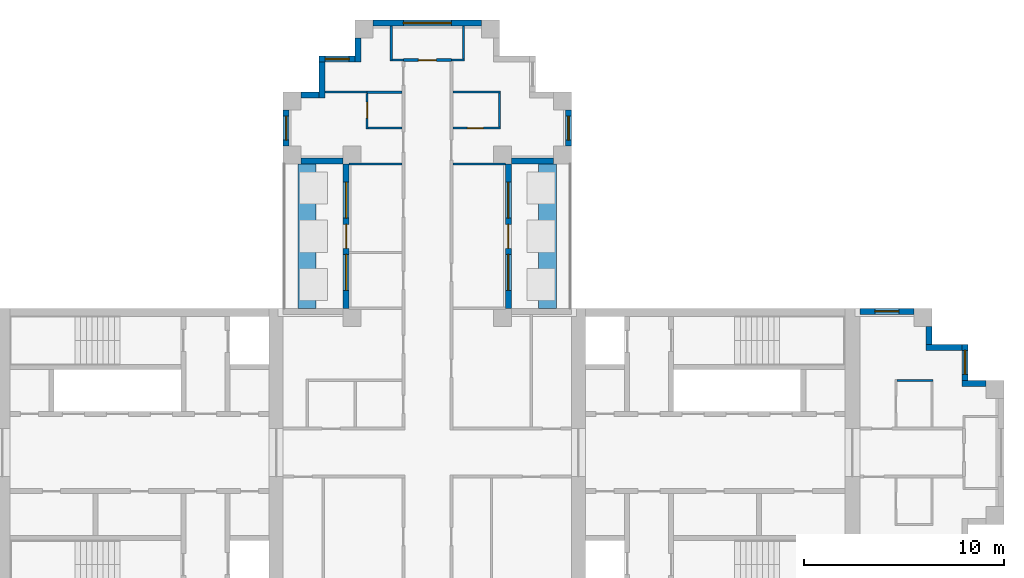
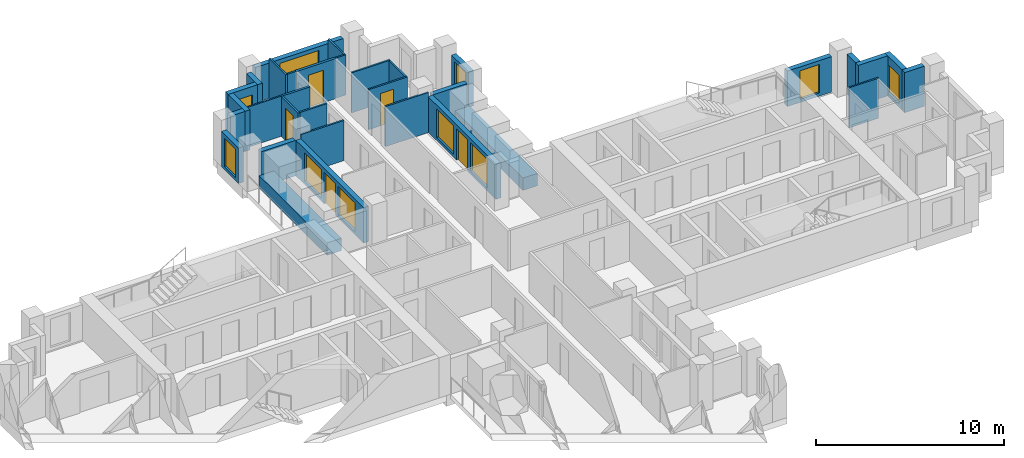
# One storey, part 7 of 10: 33 walls, 10 windows, 5 doors, 15 openings.
"""IFC4 building model written with IfcOpenShell, lengths in metres."""

from ifc_helpers import new_model, si_unit, direction, frame, frame_2d, origin, place, context, subcontext, project, spatial, rectangle, extrude, material, layer, layer_set, type_object, element, fill, save


model = new_model("IFC4")

# Units and contexts
model_context = context("Model", 3, precision=1e-05, world=origin(), true_north=direction((0.0, 1.0)))
body_context = subcontext(model_context, "Body", "Model", "MODEL_VIEW")
ifc_project = project(units=[si_unit("LENGTHUNIT", "METRE"), si_unit("AREAUNIT", "SQUARE_METRE"), si_unit("VOLUMEUNIT", "CUBIC_METRE"), si_unit("PLANEANGLEUNIT", "RADIAN"), si_unit("MASSUNIT", "GRAM", prefix="KILO")], contexts=[model_context])

# Site, building, storey
site_placement = place(None, origin())
site = spatial("IfcSite", under=ifc_project, at=site_placement, CompositionType="ELEMENT")
building_placement = place(site_placement, origin())
building = spatial("IfcBuilding", under=site, at=building_placement, Name="Fustian Cross Tower", CompositionType="ELEMENT")
storey_placement = place(building_placement, frame((0.0, 0.0, 225.89990234375)))
storey = spatial("IfcBuildingStorey", under=building, at=storey_placement, Name="L71", CompositionType="ELEMENT", Elevation=225.89990234375)

# Wall, opening, door
ifc_material_1 = material(Name="Plasterboard on steel stud", Category="steel")
ifc_layer_1 = layer(ifc_material_1, 0.14990234375)
ifc_layer_set_1 = layer_set([ifc_layer_1], Name="Plasterboard on steel stud")
wall_type_1 = type_object("IfcWallType", Name="COMPARTMENT WALL 150 EI 60", PredefinedType="PARTITIONING", material=ifc_layer_set_1)
wall_1_placement = place(storey_placement, frame((-1.199951171875, 19.60009765625, 0.0), z_axis=(0.0, 0.0, 1.0), x_axis=(1.0, 0.0, 0.0)))
wall_1 = element("IfcWall", 1, at=wall_1_placement, inside=storey, type_object=wall_type_1, Name="Partition 38", PredefinedType="PARTITIONING", context=body_context, shape_type="SweptSolid", body=[
    extrude(rectangle(XDim=2.39990234375, YDim=0.14990234375, at=frame_2d((1.199951171875, 0.0))), origin(), (0.0, 0.0, 1.0), 2.60009765625),
])
opening_1_placement = place(wall_1_placement, frame((0.75, 0.0, 0.0)))
opening_1 = element("IfcOpeningElement", 2, at=opening_1_placement, cuts=wall_1, Name="Opening D32015", PredefinedType="OPENING", context=body_context, shape_type="SweptSolid", body=[
    extrude(rectangle(XDim=0.89990234375, YDim=2.10009765625, at=frame_2d((0.449951171875, 1.050048828125))), frame((0.0, 0.0849609375, 0.0), z_axis=(0.0, -1.0, 0.0), x_axis=(1.0, 0.0, 0.0)), (0.0, 0.0, 1.0), 0.169921875),
])
ifc_material_2 = material(Name="Timber fire door set", Category="wood")
door_type_1 = type_object("IfcDoorType", Name="FIRE SWING DOOR 900 FD30S", OperationType="SINGLE_SWING_LEFT", PredefinedType="DOOR", material=ifc_material_2)
door_1_placement = place(opening_1_placement, origin())
door_1 = element("IfcDoor", 3, at=door_1_placement, inside=storey, type_object=door_type_1, Name="Door D32015", OperationType="SINGLE_SWING_LEFT", OverallHeight=2.10009765625, OverallWidth=0.89990234375, PredefinedType="DOOR", context=body_context, shape_type="SweptSolid", body=[
    extrude(rectangle(XDim=0.89990234375, YDim=2.10009765625, at=frame_2d((0.449951171875, 1.050048828125))), frame((0.0, 0.02490234375, 0.0), z_axis=(0.0, -1.0, 0.0), x_axis=(1.0, 0.0, 0.0)), (0.0, 0.0, 1.0), 0.050048828125),
])
fill(opening_1, door_1)

# Walls
ifc_material_3 = material(Name="Plasterboard on steel stud", Category="steel")
ifc_layer_2 = layer(ifc_material_3, 0.10009765625)
ifc_layer_set_2 = layer_set([ifc_layer_2], Name="Plasterboard on steel stud")
wall_type_2 = type_object("IfcWallType", Name="PARTITION 100 STUD", PredefinedType="PARTITIONING", material=ifc_layer_set_2)
wall_2_placement = place(storey_placement, frame((-5.10009765625, 18.0, 0.0), z_axis=(0.0, 0.0, 1.0), x_axis=(1.0, 0.0, 0.0)))
element("IfcWall", 4, at=wall_2_placement, inside=storey, type_object=wall_type_2, Name="Partition 18", PredefinedType="PARTITIONING", context=body_context, shape_type="SweptSolid", body=[
    extrude(rectangle(XDim=2.10009765625, YDim=0.10009765625, at=frame_2d((1.050048828125, 0.0))), origin(), (0.0, 0.0, 1.0), 2.60009765625),
])
wall_3_placement = place(storey_placement, frame((-3.89990234375, 14.39990234375, 0.0), z_axis=(0.0, 0.0, 1.0), x_axis=(1.0, 0.0, 0.0)))
element("IfcWall", 5, at=wall_3_placement, inside=storey, type_object=wall_type_2, Name="Partition 23", PredefinedType="PARTITIONING", context=body_context, shape_type="SweptSolid", body=[
    extrude(rectangle(XDim=2.625, YDim=0.10009765625, at=frame_2d((1.3125, 0.0))), origin(), (0.0, 0.0, 1.0), 2.60009765625),
])

# Wall, opening, door
wall_4_placement = place(storey_placement, frame((-3.0, 16.14990234375, 0.0), z_axis=(0.0, 0.0, 1.0), x_axis=(0.0, 1.0, 0.0)))
wall_4 = element("IfcWall", 6, at=wall_4_placement, inside=storey, type_object=wall_type_2, Name="Partition 28", PredefinedType="PARTITIONING", context=body_context, shape_type="SweptSolid", body=[
    extrude(rectangle(XDim=1.78759765625, YDim=0.10009765625, at=frame_2d((0.893798828125, 0.0))), origin(), (0.0, 0.0, 1.0), 2.60009765625),
])
opening_2_placement = place(wall_4_placement, frame((0.550048828125, 0.0, 0.0)))
opening_2 = element("IfcOpeningElement", 7, at=opening_2_placement, cuts=wall_4, Name="Opening D32018", PredefinedType="OPENING", context=body_context, shape_type="SweptSolid", body=[
    extrude(rectangle(XDim=0.800048828125, YDim=2.10009765625, at=frame_2d((0.39990234375, 1.050048828125))), frame((0.0, 0.06005859375, 0.0), z_axis=(0.0, -1.0, 0.0), x_axis=(1.0, 0.0, 0.0)), (0.0, 0.0, 1.0), 0.1201171875),
])
ifc_material_4 = material(Name="Painted timber", Category="wood")
door_type_2 = type_object("IfcDoorType", Name="SWING DOOR 800", OperationType="SINGLE_SWING_LEFT", PredefinedType="DOOR", material=ifc_material_4)
door_2_placement = place(opening_2_placement, frame((0.800048828125, 0.0, 0.0), z_axis=(0.0, 0.0, 1.0), x_axis=(-1.0, 0.0, 0.0)))
door_2 = element("IfcDoor", 8, at=door_2_placement, inside=storey, type_object=door_type_2, Name="Door D32018", OperationType="SINGLE_SWING_LEFT", OverallHeight=2.10009765625, OverallWidth=0.800048828125, PredefinedType="DOOR", context=body_context, shape_type="SweptSolid", body=[
    extrude(rectangle(XDim=0.800048828125, YDim=2.10009765625, at=frame_2d((0.39990234375, 1.050048828125))), frame((0.0, 0.02490234375, 0.0), z_axis=(0.0, -1.0, 0.0), x_axis=(1.0, 0.0, 0.0)), (0.0, 0.0, 1.0), 0.050048828125),
])
fill(opening_2, door_2)

# Walls
wall_5_placement = place(storey_placement, frame((-2.949951171875, 16.199951171875, 0.0), z_axis=(0.0, 0.0, 1.0), x_axis=(1.0, 0.0, 0.0)))
element("IfcWall", 9, at=wall_5_placement, inside=storey, type_object=wall_type_2, Name="Partition 29", PredefinedType="PARTITIONING", context=body_context, shape_type="SweptSolid", body=[
    extrude(rectangle(XDim=1.675048828125, YDim=0.10009765625, at=frame_2d((0.83740234375, 0.0))), origin(), (0.0, 0.0, 1.0), 2.60009765625),
])
wall_6_placement = place(storey_placement, frame((-1.800048828125, 19.550048828125, 0.0), z_axis=(0.0, 0.0, 1.0), x_axis=(0.0, 1.0, 0.0)))
element("IfcWall", 10, at=wall_6_placement, inside=storey, type_object=wall_type_2, Name="Partition 33", PredefinedType="PARTITIONING", context=body_context, shape_type="SweptSolid", body=[
    extrude(rectangle(XDim=1.75, YDim=0.10009765625, at=frame_2d((0.875, 0.0))), origin(), (0.0, 0.0, 1.0), 2.60009765625),
])
wall_7_placement = place(storey_placement, frame((-1.75, 19.60009765625, 0.0), z_axis=(0.0, 0.0, 1.0), x_axis=(1.0, 0.0, 0.0)))
element("IfcWall", 11, at=wall_7_placement, inside=storey, type_object=wall_type_2, Name="Partition 34", PredefinedType="PARTITIONING", context=body_context, shape_type="SweptSolid", body=[
    extrude(rectangle(XDim=0.550048828125, YDim=0.10009765625, at=frame_2d((0.27490234375, 0.0))), origin(), (0.0, 0.0, 1.0), 2.60009765625),
])
wall_8_placement = place(storey_placement, frame((1.27490234375, 14.39990234375, 0.0), z_axis=(0.0, 0.0, 1.0), x_axis=(1.0, 0.0, 0.0)))
element("IfcWall", 12, at=wall_8_placement, inside=storey, type_object=wall_type_2, Name="Partition 49", PredefinedType="PARTITIONING", context=body_context, shape_type="SweptSolid", body=[
    extrude(rectangle(XDim=2.625, YDim=0.10009765625, at=frame_2d((1.3125, 0.0))), origin(), (0.0, 0.0, 1.0), 2.60009765625),
])

# Wall, opening, door
wall_9_placement = place(storey_placement, frame((1.27490234375, 16.199951171875, 0.0), z_axis=(0.0, 0.0, 1.0), x_axis=(1.0, 0.0, 0.0)))
wall_9 = element("IfcWall", 13, at=wall_9_placement, inside=storey, type_object=wall_type_2, Name="Partition 50", PredefinedType="PARTITIONING", context=body_context, shape_type="SweptSolid", body=[
    extrude(rectangle(XDim=2.375, YDim=0.10009765625, at=frame_2d((1.1875, 0.0))), origin(), (0.0, 0.0, 1.0), 2.60009765625),
])
opening_3_placement = place(wall_9_placement, frame((0.72509765625, 0.0, 0.0)))
opening_3 = element("IfcOpeningElement", 14, at=opening_3_placement, cuts=wall_9, Name="Opening D32022", PredefinedType="OPENING", context=body_context, shape_type="SweptSolid", body=[
    extrude(rectangle(XDim=0.800048828125, YDim=2.10009765625, at=frame_2d((0.39990234375, 1.050048828125))), frame((0.0, 0.06005859375, 0.0), z_axis=(0.0, -1.0, 0.0), x_axis=(1.0, 0.0, 0.0)), (0.0, 0.0, 1.0), 0.1201171875),
])
door_3_placement = place(opening_3_placement, origin())
door_3 = element("IfcDoor", 15, at=door_3_placement, inside=storey, type_object=door_type_2, Name="Door D32022", OperationType="SINGLE_SWING_LEFT", OverallHeight=2.10009765625, OverallWidth=0.800048828125, PredefinedType="DOOR", context=body_context, shape_type="SweptSolid", body=[
    extrude(rectangle(XDim=0.800048828125, YDim=2.10009765625, at=frame_2d((0.39990234375, 1.050048828125))), frame((0.0, 0.02490234375, 0.0), z_axis=(0.0, -1.0, 0.0), x_axis=(1.0, 0.0, 0.0)), (0.0, 0.0, 1.0), 0.050048828125),
])
fill(opening_3, door_3)

# Walls
wall_10_placement = place(storey_placement, frame((1.27490234375, 18.0, 0.0), z_axis=(0.0, 0.0, 1.0), x_axis=(1.0, 0.0, 0.0)))
element("IfcWall", 16, at=wall_10_placement, inside=storey, type_object=wall_type_2, Name="Partition 51", PredefinedType="PARTITIONING", context=body_context, shape_type="SweptSolid", body=[
    extrude(rectangle(XDim=2.375, YDim=0.10009765625, at=frame_2d((1.1875, 0.0))), origin(), (0.0, 0.0, 1.0), 2.60009765625),
])
wall_11_placement = place(storey_placement, frame((1.199951171875, 19.60009765625, 0.0), z_axis=(0.0, 0.0, 1.0), x_axis=(1.0, 0.0, 0.0)))
element("IfcWall", 17, at=wall_11_placement, inside=storey, type_object=wall_type_2, Name="Partition 52", PredefinedType="PARTITIONING", context=body_context, shape_type="SweptSolid", body=[
    extrude(rectangle(XDim=0.650146484375, YDim=0.10009765625, at=frame_2d((0.3251953125, 0.0))), origin(), (0.0, 0.0, 1.0), 2.60009765625),
])
wall_12_placement = place(storey_placement, frame((1.800048828125, 19.64990234375, 0.0), z_axis=(0.0, 0.0, 1.0), x_axis=(0.0, 1.0, 0.0)))
element("IfcWall", 18, at=wall_12_placement, inside=storey, type_object=wall_type_2, Name="Partition 54", PredefinedType="PARTITIONING", context=body_context, shape_type="SweptSolid", body=[
    extrude(rectangle(XDim=1.650146484375, YDim=0.10009765625, at=frame_2d((0.8251953125, 0.0))), origin(), (0.0, 0.0, 1.0), 2.60009765625),
])
wall_13_placement = place(storey_placement, frame((3.60009765625, 16.25, 0.0), z_axis=(0.0, 0.0, 1.0), x_axis=(0.0, 1.0, 0.0)))
element("IfcWall", 19, at=wall_13_placement, inside=storey, type_object=wall_type_2, Name="Partition 58", PredefinedType="PARTITIONING", context=body_context, shape_type="SweptSolid", body=[
    extrude(rectangle(XDim=1.699951171875, YDim=0.10009765625, at=frame_2d((0.85009765625, 0.0))), origin(), (0.0, 0.0, 1.0), 2.60009765625),
])
wall_14_placement = place(storey_placement, frame((23.449951171875, 3.60009765625, 0.0), z_axis=(0.0, 0.0, 1.0), x_axis=(1.0, 0.0, 0.0)))
element("IfcWall", 20, at=wall_14_placement, inside=storey, type_object=wall_type_2, Name="Partition 65", PredefinedType="PARTITIONING", context=body_context, shape_type="SweptSolid", body=[
    extrude(rectangle(XDim=1.800048828125, YDim=0.10009765625, at=frame_2d((0.89990234375, 0.0))), origin(), (0.0, 0.0, 1.0), 2.60009765625),
])
ifc_material_5 = material(Name="Concrete C40/50", Category="concrete")
ifc_layer_3 = layer(ifc_material_5, 0.89990234375)
ifc_layer_set_3 = layer_set([ifc_layer_3], Name="Concrete C40/50")
wall_type_3 = type_object("IfcWallType", Name="PK1 PLANTER 900", PredefinedType="PARAPET", material=ifc_layer_set_3)
for number, where, z_axis, x_axis, name in (
    (21, (6.0, 7.199951171875, 0.0), (0.0, 0.0, 1.0), (0.0, 1.0, 0.0), "PLANTER"),
    (22, (-6.0, 7.199951171875, 0.0), (0.0, 0.0, 1.0), (0.0, 1.0, 0.0), "PLANTER"),
):
    element("IfcWall", number, at=place(storey_placement, frame(where, z_axis=z_axis, x_axis=x_axis)), inside=storey, type_object=wall_type_3, Name=name, PredefinedType="PARAPET", context=body_context, shape_type="SweptSolid", body=[
        extrude(rectangle(XDim=7.199951171875, YDim=0.89990234375, at=frame_2d((3.60009765625, 0.0))), origin(), (0.0, 0.0, 1.0), 0.800048828125),
    ])
ifc_material_6 = material(Name="Plasterboard on steel stud", Category="steel")
ifc_layer_4 = layer(ifc_material_6, 0.125)
ifc_layer_set_4 = layer_set([ifc_layer_4], Name="Plasterboard on steel stud")
wall_type_4 = type_object("IfcWallType", Name="WET WALL 125 STUD", PredefinedType="PARTITIONING", material=ifc_layer_set_4)
wall_15_placement = place(storey_placement, frame((-3.0, 18.0, 0.0), z_axis=(0.0, 0.0, 1.0), x_axis=(1.0, 0.0, 0.0)))
element("IfcWall", 23, at=wall_15_placement, inside=storey, type_object=wall_type_4, Name="Partition 30", PredefinedType="PARTITIONING", context=body_context, shape_type="SweptSolid", body=[
    extrude(rectangle(XDim=1.72509765625, YDim=0.125, at=frame_2d((0.862548828125, 0.0))), origin(), (0.0, 0.0, 1.0), 2.60009765625),
])
ifc_material_7 = material(Name="Dark aluminium cladding on insulated backing wall", Category="aluminium")
ifc_layer_5 = layer(ifc_material_7, 0.300048828125)
ifc_layer_set_5 = layer_set([ifc_layer_5], Name="Dark aluminium cladding on insulated backing wall")
wall_type_5 = type_object("IfcWallType", Name="XW1 EXTERNAL WALL 300", PredefinedType="SOLIDWALL", material=ifc_layer_set_5)
wall_16_placement = place(storey_placement, frame((27.89990234375, 3.449951171875, 0.0), z_axis=(0.0, 0.0, 1.0), x_axis=(-1.0, 0.0, 0.0)))
element("IfcWall", 24, at=wall_16_placement, inside=storey, type_object=wall_type_5, Name="External wall", PredefinedType="SOLIDWALL", context=body_context, shape_type="SweptSolid", body=[
    extrude(rectangle(XDim=1.199951171875, YDim=0.300048828125, at=frame_2d((0.60009765625, 0.0))), origin(), (0.0, 0.0, 1.0), 2.60009765625),
])

# Wall, opening, window
wall_17_placement = place(storey_placement, frame((26.85009765625, 3.60009765625, 0.0), z_axis=(0.0, 0.0, 1.0), x_axis=(0.0, 1.0, 0.0)))
wall_17 = element("IfcWall", 25, at=wall_17_placement, inside=storey, type_object=wall_type_5, Name="External wall", PredefinedType="SOLIDWALL", context=body_context, shape_type="SweptSolid", body=[
    extrude(rectangle(XDim=1.7998046875, YDim=0.300048828125, at=frame_2d((0.89990234375, 0.0))), origin(), (0.0, 0.0, 1.0), 2.60009765625),
])
opening_4_placement = place(wall_17_placement, frame((0.300048828125, 0.0, 0.199951171875)))
opening_4 = element("IfcOpeningElement", 26, at=opening_4_placement, cuts=wall_17, Name="Opening WN3", PredefinedType="OPENING", context=body_context, shape_type="SweptSolid", body=[
    extrude(rectangle(XDim=1.199951171875, YDim=1.85009765625, at=frame_2d((0.60009765625, 0.925048828125))), frame((0.0, 0.159912109375, 0.0), z_axis=(0.0, -1.0, 0.0), x_axis=(1.0, 0.0, 0.0)), (0.0, 0.0, 1.0), 0.320068359375),
])
ifc_material_8 = material(Name="Dark anodised aluminium and double glazing", Category="aluminium")
window_type_1 = type_object("IfcWindowType", Name="WN3 WINDOW 1200X1850", PartitioningType="SINGLE_PANEL", PredefinedType="WINDOW", material=ifc_material_8)
window_1_placement = place(opening_4_placement, origin())
window_1 = element("IfcWindow", 27, at=window_1_placement, inside=storey, type_object=window_type_1, Name="Window", OverallHeight=1.85009765625, OverallWidth=1.199951171875, PartitioningType="SINGLE_PANEL", PredefinedType="WINDOW", context=body_context, shape_type="SweptSolid", body=[
    extrude(rectangle(XDim=1.199951171875, YDim=1.85009765625, at=frame_2d((0.60009765625, 0.925048828125))), frame((0.0, 0.030029296875, 0.0), z_axis=(0.0, -1.0, 0.0), x_axis=(1.0, 0.0, 0.0)), (0.0, 0.0, 1.0), 0.06005859375),
])
fill(opening_4, window_1)

# Walls
wall_18_placement = place(storey_placement, frame((26.699951171875, 5.25, 0.0), z_axis=(0.0, 0.0, 1.0), x_axis=(-1.0, 0.0, 0.0)))
element("IfcWall", 28, at=wall_18_placement, inside=storey, type_object=wall_type_5, Name="External wall", PredefinedType="SOLIDWALL", context=body_context, shape_type="SweptSolid", body=[
    extrude(rectangle(XDim=1.800048828125, YDim=0.300048828125, at=frame_2d((0.89990234375, 0.0))), origin(), (0.0, 0.0, 1.0), 2.60009765625),
])
wall_19_placement = place(storey_placement, frame((25.050048828125, 5.39990234375, 0.0), z_axis=(0.0, 0.0, 1.0), x_axis=(0.0, 1.0, 0.0)))
element("IfcWall", 29, at=wall_19_placement, inside=storey, type_object=wall_type_5, Name="External wall", PredefinedType="SOLIDWALL", context=body_context, shape_type="SweptSolid", body=[
    extrude(rectangle(XDim=0.900146484375, YDim=0.300048828125, at=frame_2d((0.4501953125, 0.0))), origin(), (0.0, 0.0, 1.0), 2.60009765625),
])

# Wall, opening, window
wall_20_placement = place(storey_placement, frame((24.300048828125, 7.050048828125, 0.0), z_axis=(0.0, 0.0, 1.0), x_axis=(-1.0, 0.0, 0.0)))
wall_20 = element("IfcWall", 30, at=wall_20_placement, inside=storey, type_object=wall_type_5, Name="External wall", PredefinedType="SOLIDWALL", context=body_context, shape_type="SweptSolid", body=[
    extrude(rectangle(XDim=2.699951171875, YDim=0.300048828125, at=frame_2d((1.35009765625, 0.0))), origin(), (0.0, 0.0, 1.0), 2.300048828125),
])
opening_5_placement = place(wall_20_placement, frame((0.75, 0.0, 0.199951171875)))
opening_5 = element("IfcOpeningElement", 31, at=opening_5_placement, cuts=wall_20, Name="Opening WN3", PredefinedType="OPENING", context=body_context, shape_type="SweptSolid", body=[
    extrude(rectangle(XDim=1.199951171875, YDim=1.85009765625, at=frame_2d((0.60009765625, 0.925048828125))), frame((0.0, 0.159912109375, 0.0), z_axis=(0.0, -1.0, 0.0), x_axis=(1.0, 0.0, 0.0)), (0.0, 0.0, 1.0), 0.320068359375),
])
window_2_placement = place(opening_5_placement, origin())
window_2 = element("IfcWindow", 32, at=window_2_placement, inside=storey, type_object=window_type_1, Name="Window", OverallHeight=1.85009765625, OverallWidth=1.199951171875, PartitioningType="SINGLE_PANEL", PredefinedType="WINDOW", context=body_context, shape_type="SweptSolid", body=[
    extrude(rectangle(XDim=1.199951171875, YDim=1.85009765625, at=frame_2d((0.60009765625, 0.925048828125))), frame((0.0, 0.030029296875, 0.0), z_axis=(0.0, -1.0, 0.0), x_axis=(1.0, 0.0, 0.0)), (0.0, 0.0, 1.0), 0.06005859375),
])
fill(opening_5, window_2)

# Wall, openings, door, windows
wall_21_placement = place(storey_placement, frame((4.050048828125, 7.199951171875, 0.0), z_axis=(0.0, 0.0, 1.0), x_axis=(0.0, 1.0, 0.0)))
wall_21 = element("IfcWall", 33, at=wall_21_placement, inside=storey, type_object=wall_type_5, Name="External wall", PredefinedType="SOLIDWALL", context=body_context, shape_type="SweptSolid", body=[
    extrude(rectangle(XDim=7.199951171875, YDim=0.300048828125, at=frame_2d((3.60009765625, 0.0))), origin(), (0.0, 0.0, 1.0), 2.300048828125),
])
opening_6_placement = place(wall_21_placement, frame((3.0, 0.0, 0.0)))
opening_6 = element("IfcOpeningElement", 34, at=opening_6_placement, cuts=wall_21, Name="Opening XD1", PredefinedType="OPENING", context=body_context, shape_type="SweptSolid", body=[
    extrude(rectangle(XDim=1.199951171875, YDim=2.050048828125, at=frame_2d((0.60009765625, 1.02490234375))), frame((0.0, 0.159912109375, 0.0), z_axis=(0.0, -1.0, 0.0), x_axis=(1.0, 0.0, 0.0)), (0.0, 0.0, 1.0), 0.320068359375),
])
opening_7_placement = place(wall_21_placement, frame((0.89990234375, 0.0, 0.199951171875)))
opening_7 = element("IfcOpeningElement", 35, at=opening_7_placement, cuts=wall_21, Name="Opening WN2", PredefinedType="OPENING", context=body_context, shape_type="SweptSolid", body=[
    extrude(rectangle(XDim=1.800048828125, YDim=1.85009765625, at=frame_2d((0.89990234375, 0.925048828125))), frame((0.0, 0.159912109375, 0.0), z_axis=(0.0, -1.0, 0.0), x_axis=(1.0, 0.0, 0.0)), (0.0, 0.0, 1.0), 0.320068359375),
])
opening_8_placement = place(wall_21_placement, frame((4.5, 0.0, 0.199951171875)))
opening_8 = element("IfcOpeningElement", 36, at=opening_8_placement, cuts=wall_21, Name="Opening WN2", PredefinedType="OPENING", context=body_context, shape_type="SweptSolid", body=[
    extrude(rectangle(XDim=1.800048828125, YDim=1.85009765625, at=frame_2d((0.89990234375, 0.925048828125))), frame((0.0, 0.159912109375, 0.0), z_axis=(0.0, -1.0, 0.0), x_axis=(1.0, 0.0, 0.0)), (0.0, 0.0, 1.0), 0.320068359375),
])
ifc_material_9 = material(Name="Dark anodised aluminium and double glazing", Category="aluminium")
door_type_3 = type_object("IfcDoorType", Name="ED1 BALCONY DOOR 1200X2050", OperationType="SINGLE_SWING_LEFT", PredefinedType="DOOR", material=ifc_material_9)
door_4_placement = place(opening_6_placement, origin())
door_4 = element("IfcDoor", 37, at=door_4_placement, inside=storey, type_object=door_type_3, Name="Balcony door", OperationType="SINGLE_SWING_LEFT", OverallHeight=2.050048828125, OverallWidth=1.199951171875, PredefinedType="DOOR", context=body_context, shape_type="SweptSolid", body=[
    extrude(rectangle(XDim=1.199951171875, YDim=2.050048828125, at=frame_2d((0.60009765625, 1.02490234375))), frame((0.0, 0.02490234375, 0.0), z_axis=(0.0, -1.0, 0.0), x_axis=(1.0, 0.0, 0.0)), (0.0, 0.0, 1.0), 0.050048828125),
])
fill(opening_6, door_4)
ifc_material_10 = material(Name="Dark anodised aluminium and double glazing", Category="aluminium")
window_type_2 = type_object("IfcWindowType", Name="WN2 WINDOW 1800X1850", PartitioningType="SINGLE_PANEL", PredefinedType="WINDOW", material=ifc_material_10)
window_3_placement = place(opening_7_placement, origin())
window_3 = element("IfcWindow", 38, at=window_3_placement, inside=storey, type_object=window_type_2, Name="Window", OverallHeight=1.85009765625, OverallWidth=1.800048828125, PartitioningType="SINGLE_PANEL", PredefinedType="WINDOW", context=body_context, shape_type="SweptSolid", body=[
    extrude(rectangle(XDim=1.800048828125, YDim=1.85009765625, at=frame_2d((0.89990234375, 0.925048828125))), frame((0.0, 0.030029296875, 0.0), z_axis=(0.0, -1.0, 0.0), x_axis=(1.0, 0.0, 0.0)), (0.0, 0.0, 1.0), 0.06005859375),
])
fill(opening_7, window_3)
window_4_placement = place(opening_8_placement, origin())
window_4 = element("IfcWindow", 39, at=window_4_placement, inside=storey, type_object=window_type_2, Name="Window", OverallHeight=1.85009765625, OverallWidth=1.800048828125, PartitioningType="SINGLE_PANEL", PredefinedType="WINDOW", context=body_context, shape_type="SweptSolid", body=[
    extrude(rectangle(XDim=1.800048828125, YDim=1.85009765625, at=frame_2d((0.89990234375, 0.925048828125))), frame((0.0, 0.030029296875, 0.0), z_axis=(0.0, -1.0, 0.0), x_axis=(1.0, 0.0, 0.0)), (0.0, 0.0, 1.0), 0.06005859375),
])
fill(opening_8, window_4)

# Wall
wall_22_placement = place(storey_placement, frame((4.199951171875, 14.550048828125, 0.0), z_axis=(0.0, 0.0, 1.0), x_axis=(1.0, 0.0, 0.0)))
element("IfcWall", 40, at=wall_22_placement, inside=storey, type_object=wall_type_5, Name="External wall", PredefinedType="SOLIDWALL", context=body_context, shape_type="SweptSolid", body=[
    extrude(rectangle(XDim=2.10009765625, YDim=0.300048828125, at=frame_2d((1.050048828125, 0.0))), origin(), (0.0, 0.0, 1.0), 2.300048828125),
])

# Wall, opening, window
wall_23_placement = place(storey_placement, frame((7.050048828125, 15.300048828125, 0.0), z_axis=(0.0, 0.0, 1.0), x_axis=(0.0, 1.0, 0.0)))
wall_23 = element("IfcWall", 41, at=wall_23_placement, inside=storey, type_object=wall_type_5, Name="External wall", PredefinedType="SOLIDWALL", context=body_context, shape_type="SweptSolid", body=[
    extrude(rectangle(XDim=1.800048828125, YDim=0.300048828125, at=frame_2d((0.89990234375, 0.0))), origin(), (0.0, 0.0, 1.0), 2.300048828125),
])
opening_9_placement = place(wall_23_placement, frame((0.300048828125, 0.0, 0.199951171875)))
opening_9 = element("IfcOpeningElement", 42, at=opening_9_placement, cuts=wall_23, Name="Opening WN3", PredefinedType="OPENING", context=body_context, shape_type="SweptSolid", body=[
    extrude(rectangle(XDim=1.199951171875, YDim=1.85009765625, at=frame_2d((0.60009765625, 0.925048828125))), frame((0.0, 0.159912109375, 0.0), z_axis=(0.0, -1.0, 0.0), x_axis=(1.0, 0.0, 0.0)), (0.0, 0.0, 1.0), 0.320068359375),
])
window_5_placement = place(opening_9_placement, origin())
window_5 = element("IfcWindow", 43, at=window_5_placement, inside=storey, type_object=window_type_1, Name="Window", OverallHeight=1.85009765625, OverallWidth=1.199951171875, PartitioningType="SINGLE_PANEL", PredefinedType="WINDOW", context=body_context, shape_type="SweptSolid", body=[
    extrude(rectangle(XDim=1.199951171875, YDim=1.85009765625, at=frame_2d((0.60009765625, 0.925048828125))), frame((0.0, 0.030029296875, 0.0), z_axis=(0.0, -1.0, 0.0), x_axis=(1.0, 0.0, 0.0)), (0.0, 0.0, 1.0), 0.06005859375),
])
fill(opening_9, window_5)

wall_24_placement = place(storey_placement, frame((2.699951171875, 21.449951171875, 0.0), z_axis=(0.0, 0.0, 1.0), x_axis=(-1.0, 0.0, 0.0)))
wall_24 = element("IfcWall", 44, at=wall_24_placement, inside=storey, type_object=wall_type_5, Name="External wall", PredefinedType="SOLIDWALL", context=body_context, shape_type="SweptSolid", body=[
    extrude(rectangle(XDim=5.39990234375, YDim=0.300048828125, at=frame_2d((2.699951171875, 0.0))), origin(), (0.0, 0.0, 1.0), 2.300048828125),
])
opening_10_placement = place(wall_24_placement, frame((1.5, 0.0, 0.199951171875)))
opening_10 = element("IfcOpeningElement", 45, at=opening_10_placement, cuts=wall_24, Name="Opening WN1", PredefinedType="OPENING", context=body_context, shape_type="SweptSolid", body=[
    extrude(rectangle(XDim=2.39990234375, YDim=1.85009765625, at=frame_2d((1.199951171875, 0.925048828125))), frame((0.0, 0.159912109375, 0.0), z_axis=(0.0, -1.0, 0.0), x_axis=(1.0, 0.0, 0.0)), (0.0, 0.0, 1.0), 0.320068359375),
])
ifc_material_11 = material(Name="Dark anodised aluminium and double glazing", Category="aluminium")
window_type_3 = type_object("IfcWindowType", Name="WN1 WINDOW 2400X1850", PartitioningType="SINGLE_PANEL", PredefinedType="WINDOW", material=ifc_material_11)
window_6_placement = place(opening_10_placement, origin())
window_6 = element("IfcWindow", 46, at=window_6_placement, inside=storey, type_object=window_type_3, Name="Window", OverallHeight=1.85009765625, OverallWidth=2.39990234375, PartitioningType="SINGLE_PANEL", PredefinedType="WINDOW", context=body_context, shape_type="SweptSolid", body=[
    extrude(rectangle(XDim=2.39990234375, YDim=1.85009765625, at=frame_2d((1.199951171875, 0.925048828125))), frame((0.0, 0.030029296875, 0.0), z_axis=(0.0, -1.0, 0.0), x_axis=(1.0, 0.0, 0.0)), (0.0, 0.0, 1.0), 0.06005859375),
])
fill(opening_10, window_6)

# Wall
wall_25_placement = place(storey_placement, frame((-3.449951171875, 20.699951171875, 0.0), z_axis=(0.0, 0.0, 1.0), x_axis=(0.0, -1.0, 0.0)))
element("IfcWall", 47, at=wall_25_placement, inside=storey, type_object=wall_type_5, Name="External wall", PredefinedType="SOLIDWALL", context=body_context, shape_type="SweptSolid", body=[
    extrude(rectangle(XDim=1.199951171875, YDim=0.300048828125, at=frame_2d((0.60009765625, 0.0))), origin(), (0.0, 0.0, 1.0), 2.60009765625),
])

# Wall, opening, window
wall_26_placement = place(storey_placement, frame((-3.60009765625, 19.64990234375, 0.0), z_axis=(0.0, 0.0, 1.0), x_axis=(-1.0, 0.0, 0.0)))
wall_26 = element("IfcWall", 48, at=wall_26_placement, inside=storey, type_object=wall_type_5, Name="External wall", PredefinedType="SOLIDWALL", context=body_context, shape_type="SweptSolid", body=[
    extrude(rectangle(XDim=1.7998046875, YDim=0.300048828125, at=frame_2d((0.89990234375, 0.0))), origin(), (0.0, 0.0, 1.0), 2.60009765625),
])
opening_11_placement = place(wall_26_placement, frame((0.300048828125, 0.0, 0.199951171875)))
opening_11 = element("IfcOpeningElement", 49, at=opening_11_placement, cuts=wall_26, Name="Opening WN3", PredefinedType="OPENING", context=body_context, shape_type="SweptSolid", body=[
    extrude(rectangle(XDim=1.199951171875, YDim=1.85009765625, at=frame_2d((0.60009765625, 0.925048828125))), frame((0.0, 0.159912109375, 0.0), z_axis=(0.0, -1.0, 0.0), x_axis=(1.0, 0.0, 0.0)), (0.0, 0.0, 1.0), 0.320068359375),
])
window_7_placement = place(opening_11_placement, origin())
window_7 = element("IfcWindow", 50, at=window_7_placement, inside=storey, type_object=window_type_1, Name="Window", OverallHeight=1.85009765625, OverallWidth=1.199951171875, PartitioningType="SINGLE_PANEL", PredefinedType="WINDOW", context=body_context, shape_type="SweptSolid", body=[
    extrude(rectangle(XDim=1.199951171875, YDim=1.85009765625, at=frame_2d((0.60009765625, 0.925048828125))), frame((0.0, 0.030029296875, 0.0), z_axis=(0.0, -1.0, 0.0), x_axis=(1.0, 0.0, 0.0)), (0.0, 0.0, 1.0), 0.06005859375),
])
fill(opening_11, window_7)

# Walls
wall_27_placement = place(storey_placement, frame((-5.25, 19.5, 0.0), z_axis=(0.0, 0.0, 1.0), x_axis=(0.0, -1.0, 0.0)))
element("IfcWall", 51, at=wall_27_placement, inside=storey, type_object=wall_type_5, Name="External wall", PredefinedType="SOLIDWALL", context=body_context, shape_type="SweptSolid", body=[
    extrude(rectangle(XDim=1.800048828125, YDim=0.300048828125, at=frame_2d((0.89990234375, 0.0))), origin(), (0.0, 0.0, 1.0), 2.60009765625),
])
wall_28_placement = place(storey_placement, frame((-5.39990234375, 17.85009765625, 0.0), z_axis=(0.0, 0.0, 1.0), x_axis=(-1.0, 0.0, 0.0)))
element("IfcWall", 52, at=wall_28_placement, inside=storey, type_object=wall_type_5, Name="External wall", PredefinedType="SOLIDWALL", context=body_context, shape_type="SweptSolid", body=[
    extrude(rectangle(XDim=0.900146484375, YDim=0.300048828125, at=frame_2d((0.4501953125, 0.0))), origin(), (0.0, 0.0, 1.0), 2.60009765625),
])

# Wall, opening, window
wall_29_placement = place(storey_placement, frame((-7.050048828125, 17.10009765625, 0.0), z_axis=(0.0, 0.0, 1.0), x_axis=(0.0, -1.0, 0.0)))
wall_29 = element("IfcWall", 53, at=wall_29_placement, inside=storey, type_object=wall_type_5, Name="External wall", PredefinedType="SOLIDWALL", context=body_context, shape_type="SweptSolid", body=[
    extrude(rectangle(XDim=1.800048828125, YDim=0.300048828125, at=frame_2d((0.89990234375, 0.0))), origin(), (0.0, 0.0, 1.0), 2.300048828125),
])
opening_12_placement = place(wall_29_placement, frame((0.300048828125, 0.0, 0.199951171875)))
opening_12 = element("IfcOpeningElement", 54, at=opening_12_placement, cuts=wall_29, Name="Opening WN3", PredefinedType="OPENING", context=body_context, shape_type="SweptSolid", body=[
    extrude(rectangle(XDim=1.199951171875, YDim=1.85009765625, at=frame_2d((0.60009765625, 0.925048828125))), frame((0.0, 0.159912109375, 0.0), z_axis=(0.0, -1.0, 0.0), x_axis=(1.0, 0.0, 0.0)), (0.0, 0.0, 1.0), 0.320068359375),
])
window_8_placement = place(opening_12_placement, origin())
window_8 = element("IfcWindow", 55, at=window_8_placement, inside=storey, type_object=window_type_1, Name="Window", OverallHeight=1.85009765625, OverallWidth=1.199951171875, PartitioningType="SINGLE_PANEL", PredefinedType="WINDOW", context=body_context, shape_type="SweptSolid", body=[
    extrude(rectangle(XDim=1.199951171875, YDim=1.85009765625, at=frame_2d((0.60009765625, 0.925048828125))), frame((0.0, 0.030029296875, 0.0), z_axis=(0.0, -1.0, 0.0), x_axis=(1.0, 0.0, 0.0)), (0.0, 0.0, 1.0), 0.06005859375),
])
fill(opening_12, window_8)

# Wall
wall_30_placement = place(storey_placement, frame((-6.300048828125, 14.550048828125, 0.0), z_axis=(0.0, 0.0, 1.0), x_axis=(1.0, 0.0, 0.0)))
element("IfcWall", 56, at=wall_30_placement, inside=storey, type_object=wall_type_5, Name="External wall", PredefinedType="SOLIDWALL", context=body_context, shape_type="SweptSolid", body=[
    extrude(rectangle(XDim=2.10009765625, YDim=0.300048828125, at=frame_2d((1.050048828125, 0.0))), origin(), (0.0, 0.0, 1.0), 2.300048828125),
])

# Wall, openings, door, windows
wall_31_placement = place(storey_placement, frame((-4.050048828125, 14.39990234375, 0.0), z_axis=(0.0, 0.0, 1.0), x_axis=(0.0, -1.0, 0.0)))
wall_31 = element("IfcWall", 57, at=wall_31_placement, inside=storey, type_object=wall_type_5, Name="External wall", PredefinedType="SOLIDWALL", context=body_context, shape_type="SweptSolid", body=[
    extrude(rectangle(XDim=7.199951171875, YDim=0.300048828125, at=frame_2d((3.60009765625, 0.0))), origin(), (0.0, 0.0, 1.0), 2.300048828125),
])
opening_13_placement = place(wall_31_placement, frame((3.0, 0.0, 0.0)))
opening_13 = element("IfcOpeningElement", 58, at=opening_13_placement, cuts=wall_31, Name="Opening XD2", PredefinedType="OPENING", context=body_context, shape_type="SweptSolid", body=[
    extrude(rectangle(XDim=1.199951171875, YDim=2.050048828125, at=frame_2d((0.60009765625, 1.02490234375))), frame((0.0, 0.159912109375, 0.0), z_axis=(0.0, -1.0, 0.0), x_axis=(1.0, 0.0, 0.0)), (0.0, 0.0, 1.0), 0.320068359375),
])
opening_14_placement = place(wall_31_placement, frame((0.89990234375, 0.0, 0.199951171875)))
opening_14 = element("IfcOpeningElement", 59, at=opening_14_placement, cuts=wall_31, Name="Opening WN2", PredefinedType="OPENING", context=body_context, shape_type="SweptSolid", body=[
    extrude(rectangle(XDim=1.800048828125, YDim=1.85009765625, at=frame_2d((0.89990234375, 0.925048828125))), frame((0.0, 0.159912109375, 0.0), z_axis=(0.0, -1.0, 0.0), x_axis=(1.0, 0.0, 0.0)), (0.0, 0.0, 1.0), 0.320068359375),
])
opening_15_placement = place(wall_31_placement, frame((4.5, 0.0, 0.199951171875)))
opening_15 = element("IfcOpeningElement", 60, at=opening_15_placement, cuts=wall_31, Name="Opening WN2", PredefinedType="OPENING", context=body_context, shape_type="SweptSolid", body=[
    extrude(rectangle(XDim=1.800048828125, YDim=1.85009765625, at=frame_2d((0.89990234375, 0.925048828125))), frame((0.0, 0.159912109375, 0.0), z_axis=(0.0, -1.0, 0.0), x_axis=(1.0, 0.0, 0.0)), (0.0, 0.0, 1.0), 0.320068359375),
])
door_5_placement = place(opening_13_placement, origin())
door_5 = element("IfcDoor", 61, at=door_5_placement, inside=storey, type_object=door_type_3, Name="Balcony door", OperationType="SINGLE_SWING_LEFT", OverallHeight=2.050048828125, OverallWidth=1.199951171875, PredefinedType="DOOR", context=body_context, shape_type="SweptSolid", body=[
    extrude(rectangle(XDim=1.199951171875, YDim=2.050048828125, at=frame_2d((0.60009765625, 1.02490234375))), frame((0.0, 0.02490234375, 0.0), z_axis=(0.0, -1.0, 0.0), x_axis=(1.0, 0.0, 0.0)), (0.0, 0.0, 1.0), 0.050048828125),
])
fill(opening_13, door_5)
window_9_placement = place(opening_14_placement, origin())
window_9 = element("IfcWindow", 62, at=window_9_placement, inside=storey, type_object=window_type_2, Name="Window", OverallHeight=1.85009765625, OverallWidth=1.800048828125, PartitioningType="SINGLE_PANEL", PredefinedType="WINDOW", context=body_context, shape_type="SweptSolid", body=[
    extrude(rectangle(XDim=1.800048828125, YDim=1.85009765625, at=frame_2d((0.89990234375, 0.925048828125))), frame((0.0, 0.030029296875, 0.0), z_axis=(0.0, -1.0, 0.0), x_axis=(1.0, 0.0, 0.0)), (0.0, 0.0, 1.0), 0.06005859375),
])
fill(opening_14, window_9)
window_10_placement = place(opening_15_placement, origin())
window_10 = element("IfcWindow", 63, at=window_10_placement, inside=storey, type_object=window_type_2, Name="Window", OverallHeight=1.85009765625, OverallWidth=1.800048828125, PartitioningType="SINGLE_PANEL", PredefinedType="WINDOW", context=body_context, shape_type="SweptSolid", body=[
    extrude(rectangle(XDim=1.800048828125, YDim=1.85009765625, at=frame_2d((0.89990234375, 0.925048828125))), frame((0.0, 0.030029296875, 0.0), z_axis=(0.0, -1.0, 0.0), x_axis=(1.0, 0.0, 0.0)), (0.0, 0.0, 1.0), 0.06005859375),
])
fill(opening_15, window_10)

save(model, "model.ifc")
